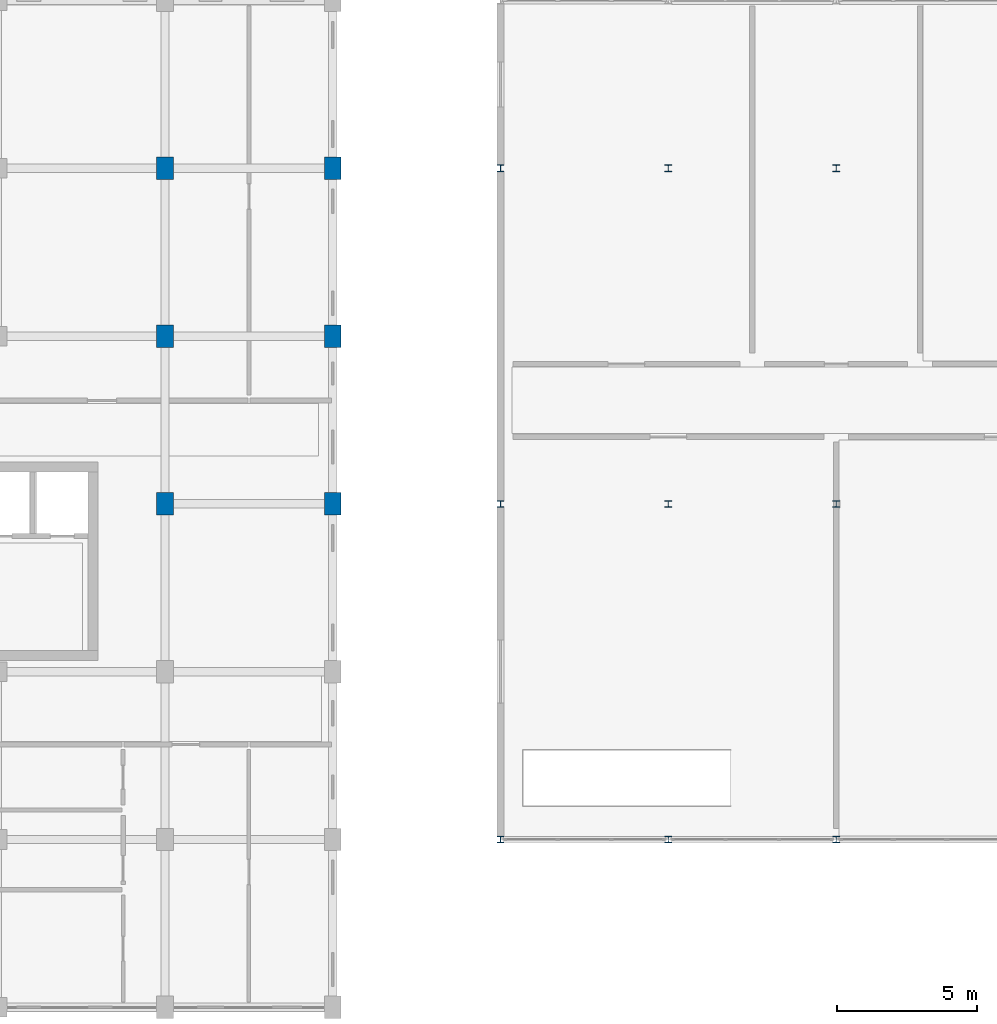
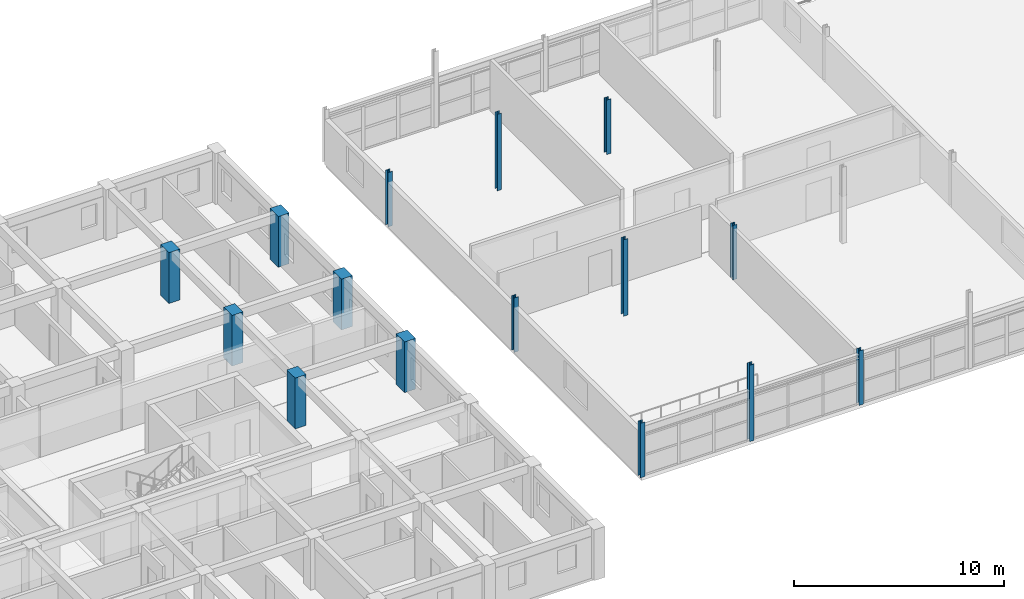
# One storey, part 10 of 137: 15 columns.
"""IFC4 building model written with IfcOpenShell, lengths in metres."""

from ifc_helpers import new_model, si_unit, direction, frame, origin, origin_2d, place, context, subcontext, project, spatial, rectangle, i_section, extrude, material, material_profile, profile_set, type_object, element, save


model = new_model("IFC4")

# Units and contexts
model_context = context("Model", 3, precision=1e-05, world=origin(), true_north=direction((0.0, 1.0)))
body_context = subcontext(model_context, "Body", "Model", "MODEL_VIEW")
ifc_project = project(units=[si_unit("LENGTHUNIT", "METRE"), si_unit("AREAUNIT", "SQUARE_METRE"), si_unit("VOLUMEUNIT", "CUBIC_METRE"), si_unit("PLANEANGLEUNIT", "RADIAN"), si_unit("MASSUNIT", "GRAM", prefix="KILO"), si_unit("POWERUNIT", "WATT"), si_unit("THERMODYNAMICTEMPERATUREUNIT", "KELVIN")], contexts=[model_context])

# Site, building, storey
site_placement = place(None, origin())
site = spatial("IfcSite", under=ifc_project, at=site_placement, CompositionType="ELEMENT")
building_placement = place(site_placement, origin())
building = spatial("IfcBuilding", under=site, at=building_placement, Name="Ruvembo Vaulted Housing Court", CompositionType="ELEMENT")
storey_placement = place(building_placement, frame((0.0, 0.0, 4.5)))
storey = spatial("IfcBuildingStorey", under=building, at=storey_placement, Name="L01", CompositionType="ELEMENT", Elevation=4.5)

# Columns
ifc_material_1 = material(Name="Concrete C40/50", Category="concrete")
ifc_material_profile_1 = material_profile(ifc_material_1, rectangle(XDim=0.60009765625, YDim=0.800048828125, at=origin_2d()), Name="RC 600x800")
ifc_profile_set_1 = profile_set([ifc_material_profile_1], Name="Concrete C40/50")
column_type_1 = type_object("IfcColumnType", Name="COL-RC-600x800", PredefinedType="COLUMN", material=ifc_profile_set_1)
for number, where, z_axis, x_axis, name in (
    (1, (132.0, 18.0, 0.0), (0.0, 0.0, 1.0), (1.0, 0.0, 0.0), "L01 Column (132,18)"),
    (2, (132.0, 24.0, 0.0), (0.0, 0.0, 1.0), (1.0, 0.0, 0.0), "L01 Column (132,24)"),
    (3, (132.0, 30.0, 0.0), (0.0, 0.0, 1.0), (1.0, 0.0, 0.0), "L01 Column (132,30)"),
    (4, (138.0, 18.0, 0.0), (0.0, 0.0, 1.0), (1.0, 0.0, 0.0), "L01 Column (138,18)"),
    (5, (138.0, 24.0, 0.0), (0.0, 0.0, 1.0), (1.0, 0.0, 0.0), "L01 Column (138,24)"),
    (6, (138.0, 30.0, 0.0), (0.0, 0.0, 1.0), (1.0, 0.0, 0.0), "L01 Column (138,30)"),
):
    element("IfcColumn", number, at=place(storey_placement, frame(where, z_axis=z_axis, x_axis=x_axis)), inside=storey, type_object=column_type_1, Name=name, PredefinedType="COLUMN", context=body_context, shape_type="SweptSolid", body=[
        extrude(rectangle(XDim=0.60009765625, YDim=0.800048828125, at=origin_2d()), origin(), (0.0, 0.0, 1.0), 2.945068359375),
    ])
ifc_material_2 = material(Name="Steel S355J2", Category="steel")
ifc_material_profile_2 = material_profile(ifc_material_2, i_section(OverallWidth=0.239990234375, OverallDepth=0.239990234375, WebThickness=0.010009765625, FlangeThickness=0.01708984375, FilletRadius=0.02099609375, at=origin_2d()), Name="HEB 240")
ifc_profile_set_2 = profile_set([ifc_material_profile_2], Name="Steel S355J2")
column_type_2 = type_object("IfcColumnType", Name="COL-ST-HEB240", PredefinedType="COLUMN", material=ifc_profile_set_2)
for number, where, z_axis, x_axis, name in (
    (7, (144.0, 6.0, 0.0), (0.0, 0.0, 1.0), (1.0, 0.0, 0.0), "L01 Column (144,6)"),
    (8, (144.0, 18.0, 0.0), (0.0, 0.0, 1.0), (1.0, 0.0, 0.0), "L01 Column (144,18)"),
    (9, (144.0, 30.0, 0.0), (0.0, 0.0, 1.0), (1.0, 0.0, 0.0), "L01 Column (144,30)"),
):
    element("IfcColumn", number, at=place(storey_placement, frame(where, z_axis=z_axis, x_axis=x_axis)), inside=storey, type_object=column_type_2, Name=name, PredefinedType="COLUMN", context=body_context, shape_type="SweptSolid", body=[
        extrude(i_section(OverallWidth=0.239990234375, OverallDepth=0.239990234375, WebThickness=0.010009765625, FlangeThickness=0.01708984375, FilletRadius=0.02099609375, at=origin_2d()), origin(), (0.0, 0.0, 1.0), 3.159912109375),
    ])
for number, where, z_axis, x_axis, name in (
    (10, (150.0, 6.0, 0.0), (0.0, 0.0, 1.0), (1.0, 0.0, 0.0), "L01 Column (150,6)"),
    (11, (150.0, 18.0, 0.0), (0.0, 0.0, 1.0), (1.0, 0.0, 0.0), "L01 Column (150,18)"),
    (12, (150.0, 30.0, 0.0), (0.0, 0.0, 1.0), (1.0, 0.0, 0.0), "L01 Column (150,30)"),
):
    element("IfcColumn", number, at=place(storey_placement, frame(where, z_axis=z_axis, x_axis=x_axis)), inside=storey, type_object=column_type_2, Name=name, PredefinedType="COLUMN", context=body_context, shape_type="SweptSolid", body=[
        extrude(i_section(OverallWidth=0.239990234375, OverallDepth=0.239990234375, WebThickness=0.010009765625, FlangeThickness=0.01708984375, FilletRadius=0.02099609375, at=origin_2d()), origin(), (0.0, 0.0, 1.0), 4.435302734375),
    ])
for number, where, z_axis, x_axis, name in (
    (13, (156.0, 6.0, 0.0), (0.0, 0.0, 1.0), (1.0, 0.0, 0.0), "L01 Column (156,6)"),
    (14, (156.0, 18.0, 0.0), (0.0, 0.0, 1.0), (1.0, 0.0, 0.0), "L01 Column (156,18)"),
    (15, (156.0, 30.0, 0.0), (0.0, 0.0, 1.0), (1.0, 0.0, 0.0), "L01 Column (156,30)"),
):
    element("IfcColumn", number, at=place(storey_placement, frame(where, z_axis=z_axis, x_axis=x_axis)), inside=storey, type_object=column_type_2, Name=name, PredefinedType="COLUMN", context=body_context, shape_type="SweptSolid", body=[
        extrude(i_section(OverallWidth=0.239990234375, OverallDepth=0.239990234375, WebThickness=0.010009765625, FlangeThickness=0.01708984375, FilletRadius=0.02099609375, at=origin_2d()), origin(), (0.0, 0.0, 1.0), 3.159912109375),
    ])

save(model, "model.ifc")
